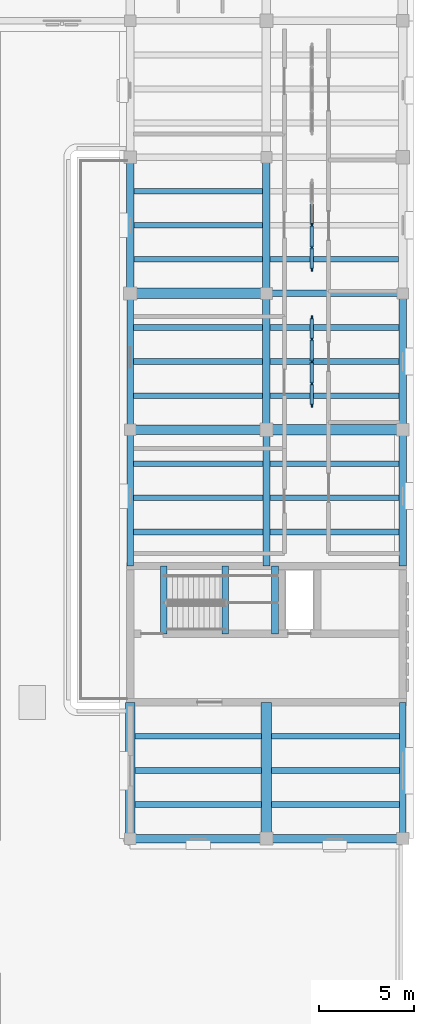
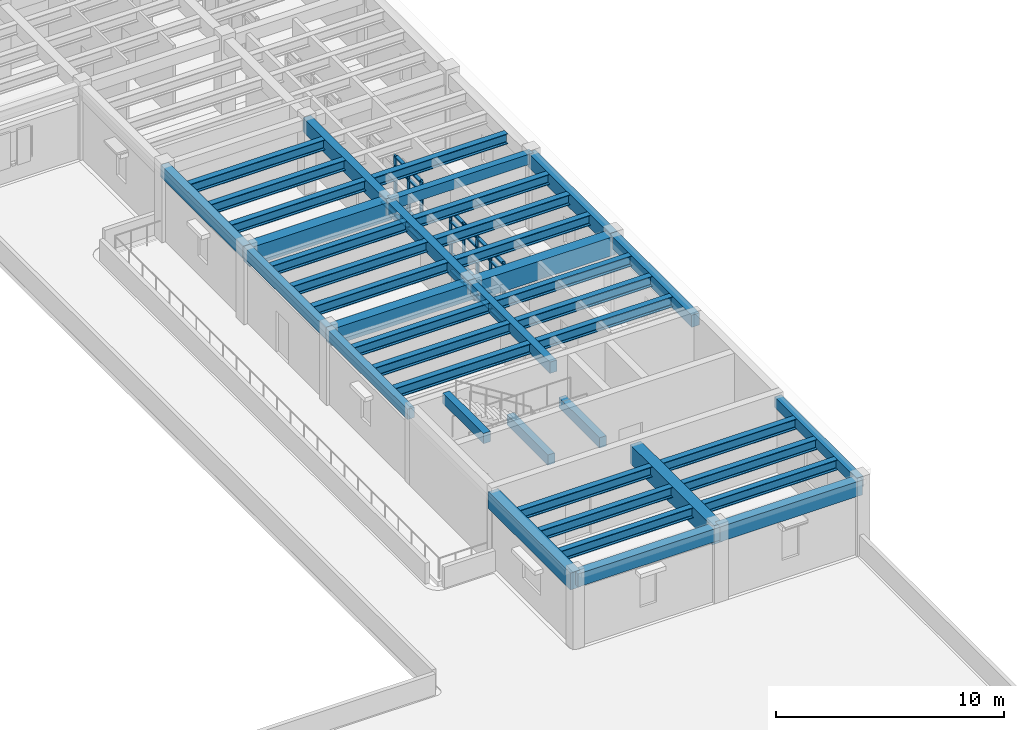
# One storey, part 7 of 40: 42 beams, 33 members, 2 elements without a shape of their own.
"""IFC4 building model written with IfcOpenShell, lengths in metres."""

from ifc_helpers import new_model, si_unit, direction, frame, origin, origin_2d, place, context, subcontext, project, spatial, rectangle, i_section, extrude, material, material_profile, profile_set, type_object, element, aggregate, save


model = new_model("IFC4")

# Units and contexts
model_context = context("Model", 3, precision=1e-05, world=origin(), true_north=direction((0.0, 1.0)))
body_context = subcontext(model_context, "Body", "Model", "MODEL_VIEW")
ifc_project = project(units=[si_unit("LENGTHUNIT", "METRE"), si_unit("AREAUNIT", "SQUARE_METRE"), si_unit("VOLUMEUNIT", "CUBIC_METRE"), si_unit("PLANEANGLEUNIT", "RADIAN"), si_unit("MASSUNIT", "GRAM", prefix="KILO")], contexts=[model_context])

# Site, building, storey
site_placement = place(None, origin())
site = spatial("IfcSite", under=ifc_project, at=site_placement, CompositionType="ELEMENT")
building_placement = place(site_placement, origin())
building = spatial("IfcBuilding", under=site, at=building_placement, Name="Mithqara Police Headquarters", CompositionType="ELEMENT")
storey_placement = place(building_placement, frame((0.0, 0.0, 13.800048828125)))
storey = spatial("IfcBuildingStorey", under=building, at=storey_placement, Name="L03", CompositionType="ELEMENT", Elevation=13.800048828125)

# Beams
ifc_material_1 = material(Name="Steel S355JR", Category="steel")
ifc_material_profile_1 = material_profile(ifc_material_1, i_section(OverallWidth=0.300048828125, OverallDepth=0.550048828125, WebThickness=0.014892578125, FlangeThickness=0.029052734375, FilletRadius=0.027099609375, at=origin_2d()), Name="HEB 550")
ifc_profile_set_1 = profile_set([ifc_material_profile_1], Name="Steel S355JR")
beam_type_1 = type_object("IfcBeamType", Name="BEAM HEB550", PredefinedType="BEAM", material=ifc_profile_set_1)
for number, where, z_axis, x_axis, name in (
    (1, (152.050048828125, 37.199951171875, 3.6650390625), (1.0, 0.0, 0.0), (0.0, 1.0, 0.0), "L03 Composite Steel Joist 22-23/F.1"),
    (2, (152.050048828125, 39.0, 3.6650390625), (1.0, 0.0, 0.0), (0.0, 1.0, 0.0), "L03 Composite Steel Joist 22-23/F.2"),
    (3, (152.050048828125, 40.800048828125, 3.6650390625), (1.0, 0.0, 0.0), (0.0, 1.0, 0.0), "L03 Composite Steel Joist 22-23/F.3"),
):
    element("IfcBeam", number, at=place(storey_placement, frame(where, z_axis=z_axis, x_axis=x_axis)), inside=storey, type_object=beam_type_1, Name=name, PredefinedType="BEAM", context=body_context, shape_type="SweptSolid", body=[
        extrude(i_section(OverallWidth=0.300048828125, OverallDepth=0.550048828125, WebThickness=0.014892578125, FlangeThickness=0.029052734375, FilletRadius=0.027099609375, at=origin_2d()), origin(), (0.0, 0.0, 1.0), 6.675048828125),
    ])
for number, where, z_axis, x_axis, name in (
    (4, (151.97509765625, 51.60009765625, 3.6650390625), (1.0, 0.0, 0.0), (0.0, 1.0, 0.0), "L03 Composite Steel Joist 22-23/H.1"),
    (5, (151.97509765625, 53.39990234375, 3.6650390625), (1.0, 0.0, 0.0), (0.0, 1.0, 0.0), "L03 Composite Steel Joist 22-23/H.2"),
    (6, (151.97509765625, 55.199951171875, 3.6650390625), (1.0, 0.0, 0.0), (0.0, 1.0, 0.0), "L03 Composite Steel Joist 22-23/H.3"),
):
    element("IfcBeam", number, at=place(storey_placement, frame(where, z_axis=z_axis, x_axis=x_axis)), inside=storey, type_object=beam_type_1, Name=name, PredefinedType="BEAM", context=body_context, shape_type="SweptSolid", body=[
        extrude(i_section(OverallWidth=0.300048828125, OverallDepth=0.550048828125, WebThickness=0.014892578125, FlangeThickness=0.029052734375, FilletRadius=0.027099609375, at=origin_2d()), origin(), (0.0, 0.0, 1.0), 6.849853515625),
    ])
for number, where, z_axis, x_axis, name in (
    (7, (151.97509765625, 58.800048828125, 3.6650390625), (1.0, 0.0, 0.0), (0.0, 1.0, 0.0), "L03 Composite Steel Joist 22-23/J.1"),
    (8, (151.97509765625, 60.60009765625, 3.6650390625), (1.0, 0.0, 0.0), (0.0, 1.0, 0.0), "L03 Composite Steel Joist 22-23/J.2"),
    (9, (151.97509765625, 62.39990234375, 3.6650390625), (1.0, 0.0, 0.0), (0.0, 1.0, 0.0), "L03 Composite Steel Joist 22-23/J.3"),
):
    element("IfcBeam", number, at=place(storey_placement, frame(where, z_axis=z_axis, x_axis=x_axis)), inside=storey, type_object=beam_type_1, Name=name, PredefinedType="BEAM", context=body_context, shape_type="SweptSolid", body=[
        extrude(i_section(OverallWidth=0.300048828125, OverallDepth=0.550048828125, WebThickness=0.014892578125, FlangeThickness=0.029052734375, FilletRadius=0.027099609375, at=origin_2d()), origin(), (0.0, 0.0, 1.0), 6.824951171875),
    ])
for number, where, z_axis, x_axis, name in (
    (10, (152.0, 66.0, 3.6650390625), (1.0, 0.0, 0.0), (0.0, 1.0, 0.0), "L03 Composite Steel Joist 22-23/K.1"),
    (11, (152.0, 67.800048828125, 3.6650390625), (1.0, 0.0, 0.0), (0.0, 1.0, 0.0), "L03 Composite Steel Joist 22-23/K.2"),
    (12, (152.0, 69.60009765625, 3.6650390625), (1.0, 0.0, 0.0), (0.0, 1.0, 0.0), "L03 Composite Steel Joist 22-23/K.3"),
):
    element("IfcBeam", number, at=place(storey_placement, frame(where, z_axis=z_axis, x_axis=x_axis)), inside=storey, type_object=beam_type_1, Name=name, PredefinedType="BEAM", context=body_context, shape_type="SweptSolid", body=[
        extrude(i_section(OverallWidth=0.300048828125, OverallDepth=0.550048828125, WebThickness=0.014892578125, FlangeThickness=0.029052734375, FilletRadius=0.027099609375, at=origin_2d()), origin(), (0.0, 0.0, 1.0), 6.800048828125),
    ])
for number, where, z_axis, x_axis, name in (
    (13, (159.27490234375, 37.199951171875, 3.6650390625), (1.0, 0.0, 0.0), (0.0, 1.0, 0.0), "L03 Composite Steel Joist 23-24/F.1"),
    (14, (159.27490234375, 39.0, 3.6650390625), (1.0, 0.0, 0.0), (0.0, 1.0, 0.0), "L03 Composite Steel Joist 23-24/F.2"),
    (15, (159.27490234375, 40.800048828125, 3.6650390625), (1.0, 0.0, 0.0), (0.0, 1.0, 0.0), "L03 Composite Steel Joist 23-24/F.3"),
):
    element("IfcBeam", number, at=place(storey_placement, frame(where, z_axis=z_axis, x_axis=x_axis)), inside=storey, type_object=beam_type_1, Name=name, PredefinedType="BEAM", context=body_context, shape_type="SweptSolid", body=[
        extrude(i_section(OverallWidth=0.300048828125, OverallDepth=0.550048828125, WebThickness=0.014892578125, FlangeThickness=0.029052734375, FilletRadius=0.027099609375, at=origin_2d()), origin(), (0.0, 0.0, 1.0), 6.75),
    ])
for number, where, z_axis, x_axis, name in (
    (16, (159.175048828125, 51.60009765625, 3.6650390625), (1.0, 0.0, 0.0), (0.0, 1.0, 0.0), "L03 Composite Steel Joist 23-24/H.1"),
    (17, (159.175048828125, 53.39990234375, 3.6650390625), (1.0, 0.0, 0.0), (0.0, 1.0, 0.0), "L03 Composite Steel Joist 23-24/H.2"),
    (18, (159.175048828125, 55.199951171875, 3.6650390625), (1.0, 0.0, 0.0), (0.0, 1.0, 0.0), "L03 Composite Steel Joist 23-24/H.3"),
):
    element("IfcBeam", number, at=place(storey_placement, frame(where, z_axis=z_axis, x_axis=x_axis)), inside=storey, type_object=beam_type_1, Name=name, PredefinedType="BEAM", context=body_context, shape_type="SweptSolid", body=[
        extrude(i_section(OverallWidth=0.300048828125, OverallDepth=0.550048828125, WebThickness=0.014892578125, FlangeThickness=0.029052734375, FilletRadius=0.027099609375, at=origin_2d()), origin(), (0.0, 0.0, 1.0), 6.824951171875),
    ])
for number, where, z_axis, x_axis, name in (
    (19, (159.199951171875, 58.800048828125, 3.6650390625), (1.0, 0.0, 0.0), (0.0, 1.0, 0.0), "L03 Composite Steel Joist 23-24/J.1"),
    (20, (159.199951171875, 60.60009765625, 3.6650390625), (1.0, 0.0, 0.0), (0.0, 1.0, 0.0), "L03 Composite Steel Joist 23-24/J.2"),
    (21, (159.199951171875, 62.39990234375, 3.6650390625), (1.0, 0.0, 0.0), (0.0, 1.0, 0.0), "L03 Composite Steel Joist 23-24/J.3"),
):
    element("IfcBeam", number, at=place(storey_placement, frame(where, z_axis=z_axis, x_axis=x_axis)), inside=storey, type_object=beam_type_1, Name=name, PredefinedType="BEAM", context=body_context, shape_type="SweptSolid", body=[
        extrude(i_section(OverallWidth=0.300048828125, OverallDepth=0.550048828125, WebThickness=0.014892578125, FlangeThickness=0.029052734375, FilletRadius=0.027099609375, at=origin_2d()), origin(), (0.0, 0.0, 1.0), 6.800048828125),
    ])
beam_1_placement = place(storey_placement, frame((159.199951171875, 66.0, 3.6650390625), z_axis=(1.0, 0.0, 0.0), x_axis=(0.0, 1.0, 0.0)))
element("IfcBeam", 22, at=beam_1_placement, inside=storey, type_object=beam_type_1, Name="L03 Composite Steel Joist 23-24/K.1", PredefinedType="BEAM", context=body_context, shape_type="SweptSolid", body=[
    extrude(i_section(OverallWidth=0.300048828125, OverallDepth=0.550048828125, WebThickness=0.014892578125, FlangeThickness=0.029052734375, FilletRadius=0.027099609375, at=origin_2d()), origin(), (0.0, 0.0, 1.0), 6.775146484375),
])
ifc_material_2 = material(Name="Concrete C40/50", Category="concrete")
ifc_material_profile_2 = material_profile(ifc_material_2, rectangle(XDim=0.35009765625, YDim=0.550048828125, at=origin_2d()), Name="RC 350x550")
ifc_profile_set_2 = profile_set([ifc_material_profile_2], Name="Concrete C40/50")
beam_type_2 = type_object("IfcBeamType", Name="BEAM RC350X550", PredefinedType="BEAM", material=ifc_profile_set_2)
for number, where, z_axis, x_axis, name in (
    (23, (151.800048828125, 49.800048828125, 3.6650390625), (0.0, 1.0, 0.0), (-1.0, 0.0, 0.0), "L03 Girder 22/H-J"),
    (24, (159.0, 64.199951171875, 3.6650390625), (1.0, 0.0, 0.0), (0.0, 1.0, 0.0), "L03 Girder 23-24/K"),
):
    element("IfcBeam", number, at=place(storey_placement, frame(where, z_axis=z_axis, x_axis=x_axis)), inside=storey, type_object=beam_type_2, Name=name, PredefinedType="BEAM", context=body_context, shape_type="SweptSolid", body=[
        extrude(rectangle(XDim=0.35009765625, YDim=0.550048828125, at=origin_2d()), origin(), (0.0, 0.0, 1.0), 7.199951171875),
    ])
beam_2_placement = place(storey_placement, frame((166.199951171875, 35.39990234375, 3.6650390625), z_axis=(0.0, 1.0, 0.0), x_axis=(-1.0, 0.0, 0.0)))
element("IfcBeam", 25, at=beam_2_placement, inside=storey, type_object=beam_type_2, Name="L03 Girder 24/F-G", PredefinedType="BEAM", context=body_context, shape_type="SweptSolid", body=[
    extrude(rectangle(XDim=0.35009765625, YDim=0.550048828125, at=origin_2d()), origin(), (0.0, 0.0, 1.0), 7.2001953125),
])
for number, where, z_axis, x_axis, name in (
    (26, (156.830078125, 46.219970703125, 1.635009765625), (0.0, 1.0, 0.0), (-1.0, 0.0, 0.0), "L03 ST-04 Half-Landing Bearer LF"),
    (27, (159.449951171875, 46.219970703125, 1.635009765625), (0.0, 1.0, 0.0), (-1.0, 0.0, 0.0), "L03 ST-04 Half-Landing Bearer LB"),
    (28, (153.576904296875, 46.219970703125, 3.925048828125), (0.0, 1.0, 0.0), (-1.0, 0.0, 0.0), "L03 ST-04 Stairwell Trimmer Beam"),
):
    element("IfcBeam", number, at=place(storey_placement, frame(where, z_axis=z_axis, x_axis=x_axis)), inside=storey, type_object=beam_type_2, Name=name, PredefinedType="BEAM", context=body_context, shape_type="SweptSolid", body=[
        extrude(rectangle(XDim=0.35009765625, YDim=0.550048828125, at=origin_2d()), origin(), (0.0, 0.0, 1.0), 3.580078125),
    ])
ifc_material_profile_3 = material_profile(ifc_material_2, rectangle(XDim=0.35009765625, YDim=0.60009765625, at=origin_2d()), Name="RC 350x600")
ifc_profile_set_3 = profile_set([ifc_material_profile_3], Name="Concrete C40/50")
beam_type_3 = type_object("IfcBeamType", Name="BEAM RC350X600", PredefinedType="BEAM", material=ifc_profile_set_3)
for number, where, z_axis, x_axis, name in (
    (29, (151.800048828125, 57.0, 3.639892578125), (0.0, 1.0, 0.0), (-1.0, 0.0, 0.0), "L03 Girder 22/J-K"),
    (30, (159.0, 49.800048828125, 3.639892578125), (0.0, 1.0, 0.0), (-1.0, 0.0, 0.0), "L03 Girder 23/H-J"),
):
    element("IfcBeam", number, at=place(storey_placement, frame(where, z_axis=z_axis, x_axis=x_axis)), inside=storey, type_object=beam_type_3, Name=name, PredefinedType="BEAM", context=body_context, shape_type="SweptSolid", body=[
        extrude(rectangle(XDim=0.35009765625, YDim=0.60009765625, at=origin_2d()), origin(), (0.0, 0.0, 1.0), 7.199951171875),
    ])
ifc_material_profile_4 = material_profile(ifc_material_2, rectangle(XDim=0.39990234375, YDim=0.64990234375, at=origin_2d()), Name="RC 400x650")
ifc_profile_set_4 = profile_set([ifc_material_profile_4], Name="Concrete C40/50")
beam_type_4 = type_object("IfcBeamType", Name="BEAM RC400X650", PredefinedType="BEAM", material=ifc_profile_set_4)
for number, where, z_axis, x_axis, name in (
    (31, (151.800048828125, 64.199951171875, 3.614990234375), (0.0, 1.0, 0.0), (-1.0, 0.0, 0.0), "L03 Girder 22/K-L"),
    (32, (159.0, 57.0, 3.614990234375), (0.0, 1.0, 0.0), (-1.0, 0.0, 0.0), "L03 Girder 23/J-K"),
    (33, (166.199951171875, 49.800048828125, 3.614990234375), (0.0, 1.0, 0.0), (-1.0, 0.0, 0.0), "L03 Girder 24/H-J"),
):
    element("IfcBeam", number, at=place(storey_placement, frame(where, z_axis=z_axis, x_axis=x_axis)), inside=storey, type_object=beam_type_4, Name=name, PredefinedType="BEAM", context=body_context, shape_type="SweptSolid", body=[
        extrude(rectangle(XDim=0.39990234375, YDim=0.64990234375, at=origin_2d()), origin(), (0.0, 0.0, 1.0), 7.199951171875),
    ])
ifc_material_profile_5 = material_profile(ifc_material_2, rectangle(XDim=0.39990234375, YDim=0.75, at=origin_2d()), Name="RC 400x750")
ifc_profile_set_5 = profile_set([ifc_material_profile_5], Name="Concrete C40/50")
beam_type_5 = type_object("IfcBeamType", Name="BEAM RC400X750", PredefinedType="BEAM", material=ifc_profile_set_5)
for number, where, z_axis, x_axis, name in (
    (34, (159.0, 64.199951171875, 3.56494140625), (0.0, 1.0, 0.0), (-1.0, 0.0, 0.0), "L03 Girder 23/K-L"),
    (35, (166.199951171875, 57.0, 3.56494140625), (0.0, 1.0, 0.0), (-1.0, 0.0, 0.0), "L03 Girder 24/J-K"),
):
    element("IfcBeam", number, at=place(storey_placement, frame(where, z_axis=z_axis, x_axis=x_axis)), inside=storey, type_object=beam_type_5, Name=name, PredefinedType="BEAM", context=body_context, shape_type="SweptSolid", body=[
        extrude(rectangle(XDim=0.39990234375, YDim=0.75, at=origin_2d()), origin(), (0.0, 0.0, 1.0), 7.199951171875),
    ])
ifc_material_profile_6 = material_profile(ifc_material_2, rectangle(XDim=0.449951171875, YDim=0.699951171875, at=origin_2d()), Name="RC 450x700")
ifc_profile_set_6 = profile_set([ifc_material_profile_6], Name="Concrete C40/50")
beam_type_6 = type_object("IfcBeamType", Name="BEAM RC450X700", PredefinedType="BEAM", material=ifc_profile_set_6)
beam_3_placement = place(storey_placement, frame((151.800048828125, 35.39990234375, 3.58984375), z_axis=(1.0, 0.0, 0.0), x_axis=(0.0, 1.0, 0.0)))
element("IfcBeam", 36, at=beam_3_placement, inside=storey, type_object=beam_type_6, Name="L03 Girder 22-23/F", PredefinedType="BEAM", context=body_context, shape_type="SweptSolid", body=[
    extrude(rectangle(XDim=0.449951171875, YDim=0.699951171875, at=origin_2d()), origin(), (0.0, 0.0, 1.0), 7.199951171875),
])
ifc_material_profile_7 = material_profile(ifc_material_2, rectangle(XDim=0.449951171875, YDim=0.800048828125, at=origin_2d()), Name="RC 450x800")
ifc_profile_set_7 = profile_set([ifc_material_profile_7], Name="Concrete C40/50")
beam_type_7 = type_object("IfcBeamType", Name="BEAM RC450X800", PredefinedType="BEAM", material=ifc_profile_set_7)
beam_4_placement = place(storey_placement, frame((159.0, 35.39990234375, 3.5400390625), z_axis=(1.0, 0.0, 0.0), x_axis=(0.0, 1.0, 0.0)))
element("IfcBeam", 37, at=beam_4_placement, inside=storey, type_object=beam_type_7, Name="L03 Girder 23-24/F", PredefinedType="BEAM", context=body_context, shape_type="SweptSolid", body=[
    extrude(rectangle(XDim=0.449951171875, YDim=0.800048828125, at=origin_2d()), origin(), (0.0, 0.0, 1.0), 7.199951171875),
])
ifc_material_3 = material(Name="Concrete C50/60", Category="concrete")
ifc_material_profile_8 = material_profile(ifc_material_3, rectangle(XDim=0.5, YDim=0.89990234375, at=origin_2d()), Name="RC 500x900")
ifc_profile_set_8 = profile_set([ifc_material_profile_8], Name="Concrete C50/60")
beam_type_8 = type_object("IfcBeamType", Name="BEAM RC500X900", PredefinedType="BEAM", material=ifc_profile_set_8)
beam_5_placement = place(storey_placement, frame((151.800048828125, 35.39990234375, 3.489990234375), z_axis=(0.0, 1.0, 0.0), x_axis=(-1.0, 0.0, 0.0)))
element("IfcBeam", 38, at=beam_5_placement, inside=storey, type_object=beam_type_8, Name="L03 Girder 22/F-G", PredefinedType="BEAM", context=body_context, shape_type="SweptSolid", body=[
    extrude(rectangle(XDim=0.5, YDim=0.89990234375, at=origin_2d()), origin(), (0.0, 0.0, 1.0), 7.2001953125),
])
beam_6_placement = place(storey_placement, frame((151.800048828125, 57.0, 3.489990234375), z_axis=(1.0, 0.0, 0.0), x_axis=(0.0, 1.0, 0.0)))
element("IfcBeam", 39, at=beam_6_placement, inside=storey, type_object=beam_type_8, Name="L03 Girder 22-23/J", PredefinedType="BEAM", context=body_context, shape_type="SweptSolid", body=[
    extrude(rectangle(XDim=0.5, YDim=0.89990234375, at=origin_2d()), origin(), (0.0, 0.0, 1.0), 7.199951171875),
])
ifc_material_profile_9 = material_profile(ifc_material_3, rectangle(XDim=0.550048828125, YDim=1.0, at=origin_2d()), Name="RC 550x1000")
ifc_profile_set_9 = profile_set([ifc_material_profile_9], Name="Concrete C50/60")
beam_type_9 = type_object("IfcBeamType", Name="BEAM RC550X1000", PredefinedType="BEAM", material=ifc_profile_set_9)
beam_7_placement = place(storey_placement, frame((151.800048828125, 64.199951171875, 3.43994140625), z_axis=(1.0, 0.0, 0.0), x_axis=(0.0, 1.0, 0.0)))
element("IfcBeam", 40, at=beam_7_placement, inside=storey, type_object=beam_type_9, Name="L03 Girder 22-23/K", PredefinedType="BEAM", context=body_context, shape_type="SweptSolid", body=[
    extrude(rectangle(XDim=0.550048828125, YDim=1.0, at=origin_2d()), origin(), (0.0, 0.0, 1.0), 7.199951171875),
])
beam_8_placement = place(storey_placement, frame((159.0, 35.39990234375, 3.43994140625), z_axis=(0.0, 1.0, 0.0), x_axis=(-1.0, 0.0, 0.0)))
element("IfcBeam", 41, at=beam_8_placement, inside=storey, type_object=beam_type_9, Name="L03 Girder 23/F-G", PredefinedType="BEAM", context=body_context, shape_type="SweptSolid", body=[
    extrude(rectangle(XDim=0.550048828125, YDim=1.0, at=origin_2d()), origin(), (0.0, 0.0, 1.0), 7.2001953125),
])
beam_9_placement = place(storey_placement, frame((159.0, 57.0, 3.43994140625), z_axis=(1.0, 0.0, 0.0), x_axis=(0.0, 1.0, 0.0)))
element("IfcBeam", 42, at=beam_9_placement, inside=storey, type_object=beam_type_9, Name="L03 Girder 23-24/J", PredefinedType="BEAM", context=body_context, shape_type="SweptSolid", body=[
    extrude(rectangle(XDim=0.550048828125, YDim=1.0, at=origin_2d()), origin(), (0.0, 0.0, 1.0), 7.199951171875),
])

# Curtain wall, members
ifc_material_4 = material(Name="Bronze anodised aluminium 6063-T6", Category="aluminium")
curtain_wall_type = type_object("IfcCurtainWallType", Name="CURTAIN WALL 4700X3220", PredefinedType="USERDEFINED", material=ifc_material_4)
curtain_wall_1_placement = place(storey_placement, origin())
curtain_wall_1 = element("IfcCurtainWall", 43, at=curtain_wall_1_placement, inside=storey, type_object=curtain_wall_type, Name="L03 Unitised Glazing CW-16 (CW-INT-L03-X22-Y08-0)", ObjectType="UNITISED GLAZING", PredefinedType="USERDEFINED")
ifc_material_profile_10 = material_profile(ifc_material_4, rectangle(XDim=0.074951171875, YDim=0.219970703125, at=origin_2d()), Name="CWM 75x220")
ifc_profile_set_10 = profile_set([ifc_material_profile_10], Name="Bronze anodised aluminium 6063-T6")
member_type_1 = type_object("IfcMemberType", Name="CWMULLION 75X220", PredefinedType="MULLION", material=ifc_profile_set_10)
member_1_placement = place(storey_placement, frame((161.39990234375, 58.28759765625, 0.0), z_axis=(0.0, 0.0, 1.0), x_axis=(-1.0, 0.0, 0.0)))
member_1 = element("IfcMember", 44, at=member_1_placement, type_object=member_type_1, Name="CW-16 mullion 1", PredefinedType="MULLION", context=body_context, shape_type="SweptSolid", body=[
    extrude(rectangle(XDim=0.074951171875, YDim=0.219970703125, at=origin_2d()), origin(), (0.0, 0.0, 1.0), 3.219970703125),
])
member_2_placement = place(storey_placement, frame((161.39990234375, 59.425048828125, 0.0), z_axis=(0.0, 0.0, 1.0), x_axis=(-1.0, 0.0, 0.0)))
member_2 = element("IfcMember", 45, at=member_2_placement, type_object=member_type_1, Name="CW-16 mullion 2", PredefinedType="MULLION", context=body_context, shape_type="SweptSolid", body=[
    extrude(rectangle(XDim=0.074951171875, YDim=0.219970703125, at=origin_2d()), origin(), (0.0, 0.0, 1.0), 3.219970703125),
])
member_3_placement = place(storey_placement, frame((161.39990234375, 60.60009765625, 0.0), z_axis=(0.0, 0.0, 1.0), x_axis=(-1.0, 0.0, 0.0)))
member_3 = element("IfcMember", 46, at=member_3_placement, type_object=member_type_1, Name="CW-16 mullion 3", PredefinedType="MULLION", context=body_context, shape_type="SweptSolid", body=[
    extrude(rectangle(XDim=0.074951171875, YDim=0.219970703125, at=origin_2d()), origin(), (0.0, 0.0, 1.0), 3.219970703125),
])
member_4_placement = place(storey_placement, frame((161.39990234375, 61.77490234375, 0.0), z_axis=(0.0, 0.0, 1.0), x_axis=(-1.0, 0.0, 0.0)))
member_4 = element("IfcMember", 47, at=member_4_placement, type_object=member_type_1, Name="CW-16 mullion 4", PredefinedType="MULLION", context=body_context, shape_type="SweptSolid", body=[
    extrude(rectangle(XDim=0.074951171875, YDim=0.219970703125, at=origin_2d()), origin(), (0.0, 0.0, 1.0), 3.219970703125),
])
member_5_placement = place(storey_placement, frame((161.39990234375, 62.91259765625, 0.0), z_axis=(0.0, 0.0, 1.0), x_axis=(-1.0, 0.0, 0.0)))
member_5 = element("IfcMember", 48, at=member_5_placement, type_object=member_type_1, Name="CW-16 mullion 5", PredefinedType="MULLION", context=body_context, shape_type="SweptSolid", body=[
    extrude(rectangle(XDim=0.074951171875, YDim=0.219970703125, at=origin_2d()), origin(), (0.0, 0.0, 1.0), 3.219970703125),
])

curtain_wall_2_placement = place(storey_placement, origin())
curtain_wall_2 = element("IfcCurtainWall", 49, at=curtain_wall_2_placement, inside=storey, type_object=curtain_wall_type, Name="L03 Unitised Glazing CW-16 (CW-INT-L03-X22-Y09-0)", ObjectType="UNITISED GLAZING", PredefinedType="USERDEFINED")
member_6_placement = place(storey_placement, frame((161.39990234375, 65.487548828125, 0.0), z_axis=(0.0, 0.0, 1.0), x_axis=(-1.0, 0.0, 0.0)))
member_6 = element("IfcMember", 50, at=member_6_placement, type_object=member_type_1, Name="CW-16 mullion 1", PredefinedType="MULLION", context=body_context, shape_type="SweptSolid", body=[
    extrude(rectangle(XDim=0.074951171875, YDim=0.219970703125, at=origin_2d()), origin(), (0.0, 0.0, 1.0), 3.219970703125),
])
member_7_placement = place(storey_placement, frame((161.39990234375, 66.625, 0.0), z_axis=(0.0, 0.0, 1.0), x_axis=(-1.0, 0.0, 0.0)))
member_7 = element("IfcMember", 51, at=member_7_placement, type_object=member_type_1, Name="CW-16 mullion 2", PredefinedType="MULLION", context=body_context, shape_type="SweptSolid", body=[
    extrude(rectangle(XDim=0.074951171875, YDim=0.219970703125, at=origin_2d()), origin(), (0.0, 0.0, 1.0), 3.219970703125),
])
member_8_placement = place(storey_placement, frame((161.39990234375, 67.800048828125, 0.0), z_axis=(0.0, 0.0, 1.0), x_axis=(-1.0, 0.0, 0.0)))
member_8 = element("IfcMember", 52, at=member_8_placement, type_object=member_type_1, Name="CW-16 mullion 3", PredefinedType="MULLION", context=body_context, shape_type="SweptSolid", body=[
    extrude(rectangle(XDim=0.074951171875, YDim=0.219970703125, at=origin_2d()), origin(), (0.0, 0.0, 1.0), 3.219970703125),
])

# Member
ifc_material_profile_11 = material_profile(ifc_material_4, rectangle(XDim=0.179931640625, YDim=0.074951171875, at=origin_2d()), Name="CWT 180x75")
ifc_profile_set_11 = profile_set([ifc_material_profile_11], Name="Bronze anodised aluminium 6063-T6")
member_type_2 = type_object("IfcMemberType", Name="CWTRANSOM 180X75", PredefinedType="USERDEFINED", material=ifc_profile_set_11)
member_9_placement = place(storey_placement, frame((161.39990234375, 58.324951171875, 0.037353515625), z_axis=(0.0, 1.0, 0.0), x_axis=(-1.0, 0.0, 0.0)))
member_9 = element("IfcMember", 53, at=member_9_placement, type_object=member_type_2, Name="CW-16 transom 1.1", ObjectType="TRANSOM", PredefinedType="USERDEFINED", context=body_context, shape_type="SweptSolid", body=[
    extrude(rectangle(XDim=0.179931640625, YDim=0.074951171875, at=origin_2d()), origin(), (0.0, 0.0, 1.0), 1.0625),
])

member_10_placement = place(storey_placement, frame((161.39990234375, 58.324951171875, 0.89990234375), z_axis=(0.0, 1.0, 0.0), x_axis=(-1.0, 0.0, 0.0)))
member_10 = element("IfcMember", 54, at=member_10_placement, type_object=member_type_2, Name="CW-16 transom 1.2", ObjectType="TRANSOM", PredefinedType="USERDEFINED", context=body_context, shape_type="SweptSolid", body=[
    extrude(rectangle(XDim=0.179931640625, YDim=0.074951171875, at=origin_2d()), origin(), (0.0, 0.0, 1.0), 1.0625),
])

member_11_placement = place(storey_placement, frame((161.39990234375, 58.324951171875, 2.669921875), z_axis=(0.0, 1.0, 0.0), x_axis=(-1.0, 0.0, 0.0)))
member_11 = element("IfcMember", 55, at=member_11_placement, type_object=member_type_2, Name="CW-16 transom 1.3", ObjectType="TRANSOM", PredefinedType="USERDEFINED", context=body_context, shape_type="SweptSolid", body=[
    extrude(rectangle(XDim=0.179931640625, YDim=0.074951171875, at=origin_2d()), origin(), (0.0, 0.0, 1.0), 1.0625),
])

member_12_placement = place(storey_placement, frame((161.39990234375, 58.324951171875, 3.182373046875), z_axis=(0.0, 1.0, 0.0), x_axis=(-1.0, 0.0, 0.0)))
member_12 = element("IfcMember", 56, at=member_12_placement, type_object=member_type_2, Name="CW-16 transom 1.4", ObjectType="TRANSOM", PredefinedType="USERDEFINED", context=body_context, shape_type="SweptSolid", body=[
    extrude(rectangle(XDim=0.179931640625, YDim=0.074951171875, at=origin_2d()), origin(), (0.0, 0.0, 1.0), 1.0625),
])

member_13_placement = place(storey_placement, frame((161.39990234375, 59.46240234375, 0.037353515625), z_axis=(0.0, 1.0, 0.0), x_axis=(-1.0, 0.0, 0.0)))
member_13 = element("IfcMember", 57, at=member_13_placement, type_object=member_type_2, Name="CW-16 transom 2.1", ObjectType="TRANSOM", PredefinedType="USERDEFINED", context=body_context, shape_type="SweptSolid", body=[
    extrude(rectangle(XDim=0.179931640625, YDim=0.074951171875, at=origin_2d()), origin(), (0.0, 0.0, 1.0), 1.10009765625),
])

member_14_placement = place(storey_placement, frame((161.39990234375, 59.46240234375, 0.89990234375), z_axis=(0.0, 1.0, 0.0), x_axis=(-1.0, 0.0, 0.0)))
member_14 = element("IfcMember", 58, at=member_14_placement, type_object=member_type_2, Name="CW-16 transom 2.2", ObjectType="TRANSOM", PredefinedType="USERDEFINED", context=body_context, shape_type="SweptSolid", body=[
    extrude(rectangle(XDim=0.179931640625, YDim=0.074951171875, at=origin_2d()), origin(), (0.0, 0.0, 1.0), 1.10009765625),
])

member_15_placement = place(storey_placement, frame((161.39990234375, 59.46240234375, 2.669921875), z_axis=(0.0, 1.0, 0.0), x_axis=(-1.0, 0.0, 0.0)))
member_15 = element("IfcMember", 59, at=member_15_placement, type_object=member_type_2, Name="CW-16 transom 2.3", ObjectType="TRANSOM", PredefinedType="USERDEFINED", context=body_context, shape_type="SweptSolid", body=[
    extrude(rectangle(XDim=0.179931640625, YDim=0.074951171875, at=origin_2d()), origin(), (0.0, 0.0, 1.0), 1.10009765625),
])

member_16_placement = place(storey_placement, frame((161.39990234375, 59.46240234375, 3.182373046875), z_axis=(0.0, 1.0, 0.0), x_axis=(-1.0, 0.0, 0.0)))
member_16 = element("IfcMember", 60, at=member_16_placement, type_object=member_type_2, Name="CW-16 transom 2.4", ObjectType="TRANSOM", PredefinedType="USERDEFINED", context=body_context, shape_type="SweptSolid", body=[
    extrude(rectangle(XDim=0.179931640625, YDim=0.074951171875, at=origin_2d()), origin(), (0.0, 0.0, 1.0), 1.10009765625),
])

member_17_placement = place(storey_placement, frame((161.39990234375, 60.637451171875, 0.037353515625), z_axis=(0.0, 1.0, 0.0), x_axis=(-1.0, 0.0, 0.0)))
member_17 = element("IfcMember", 61, at=member_17_placement, type_object=member_type_2, Name="CW-16 transom 3.1", ObjectType="TRANSOM", PredefinedType="USERDEFINED", context=body_context, shape_type="SweptSolid", body=[
    extrude(rectangle(XDim=0.179931640625, YDim=0.074951171875, at=origin_2d()), origin(), (0.0, 0.0, 1.0), 1.10009765625),
])

member_18_placement = place(storey_placement, frame((161.39990234375, 60.637451171875, 0.89990234375), z_axis=(0.0, 1.0, 0.0), x_axis=(-1.0, 0.0, 0.0)))
member_18 = element("IfcMember", 62, at=member_18_placement, type_object=member_type_2, Name="CW-16 transom 3.2", ObjectType="TRANSOM", PredefinedType="USERDEFINED", context=body_context, shape_type="SweptSolid", body=[
    extrude(rectangle(XDim=0.179931640625, YDim=0.074951171875, at=origin_2d()), origin(), (0.0, 0.0, 1.0), 1.10009765625),
])

member_19_placement = place(storey_placement, frame((161.39990234375, 60.637451171875, 2.669921875), z_axis=(0.0, 1.0, 0.0), x_axis=(-1.0, 0.0, 0.0)))
member_19 = element("IfcMember", 63, at=member_19_placement, type_object=member_type_2, Name="CW-16 transom 3.3", ObjectType="TRANSOM", PredefinedType="USERDEFINED", context=body_context, shape_type="SweptSolid", body=[
    extrude(rectangle(XDim=0.179931640625, YDim=0.074951171875, at=origin_2d()), origin(), (0.0, 0.0, 1.0), 1.10009765625),
])

member_20_placement = place(storey_placement, frame((161.39990234375, 60.637451171875, 3.182373046875), z_axis=(0.0, 1.0, 0.0), x_axis=(-1.0, 0.0, 0.0)))
member_20 = element("IfcMember", 64, at=member_20_placement, type_object=member_type_2, Name="CW-16 transom 3.4", ObjectType="TRANSOM", PredefinedType="USERDEFINED", context=body_context, shape_type="SweptSolid", body=[
    extrude(rectangle(XDim=0.179931640625, YDim=0.074951171875, at=origin_2d()), origin(), (0.0, 0.0, 1.0), 1.10009765625),
])

member_21_placement = place(storey_placement, frame((161.39990234375, 61.8125, 0.037353515625), z_axis=(0.0, 1.0, 0.0), x_axis=(-1.0, 0.0, 0.0)))
member_21 = element("IfcMember", 65, at=member_21_placement, type_object=member_type_2, Name="CW-16 transom 4.1", ObjectType="TRANSOM", PredefinedType="USERDEFINED", context=body_context, shape_type="SweptSolid", body=[
    extrude(rectangle(XDim=0.179931640625, YDim=0.074951171875, at=origin_2d()), origin(), (0.0, 0.0, 1.0), 1.0625),
])

member_22_placement = place(storey_placement, frame((161.39990234375, 61.8125, 0.89990234375), z_axis=(0.0, 1.0, 0.0), x_axis=(-1.0, 0.0, 0.0)))
member_22 = element("IfcMember", 66, at=member_22_placement, type_object=member_type_2, Name="CW-16 transom 4.2", ObjectType="TRANSOM", PredefinedType="USERDEFINED", context=body_context, shape_type="SweptSolid", body=[
    extrude(rectangle(XDim=0.179931640625, YDim=0.074951171875, at=origin_2d()), origin(), (0.0, 0.0, 1.0), 1.0625),
])

member_23_placement = place(storey_placement, frame((161.39990234375, 61.8125, 2.669921875), z_axis=(0.0, 1.0, 0.0), x_axis=(-1.0, 0.0, 0.0)))
member_23 = element("IfcMember", 67, at=member_23_placement, type_object=member_type_2, Name="CW-16 transom 4.3", ObjectType="TRANSOM", PredefinedType="USERDEFINED", context=body_context, shape_type="SweptSolid", body=[
    extrude(rectangle(XDim=0.179931640625, YDim=0.074951171875, at=origin_2d()), origin(), (0.0, 0.0, 1.0), 1.0625),
])

member_24_placement = place(storey_placement, frame((161.39990234375, 61.8125, 3.182373046875), z_axis=(0.0, 1.0, 0.0), x_axis=(-1.0, 0.0, 0.0)))
member_24 = element("IfcMember", 68, at=member_24_placement, type_object=member_type_2, Name="CW-16 transom 4.4", ObjectType="TRANSOM", PredefinedType="USERDEFINED", context=body_context, shape_type="SweptSolid", body=[
    extrude(rectangle(XDim=0.179931640625, YDim=0.074951171875, at=origin_2d()), origin(), (0.0, 0.0, 1.0), 1.0625),
])

aggregate(curtain_wall_1, [member_1, member_2, member_3, member_4, member_5, member_9, member_10, member_11, member_12, member_13, member_14, member_15, member_16, member_17, member_18, member_19, member_20, member_21, member_22, member_23, member_24])

member_25_placement = place(storey_placement, frame((161.39990234375, 65.52490234375, 0.037353515625), z_axis=(0.0, 1.0, 0.0), x_axis=(-1.0, 0.0, 0.0)))
member_25 = element("IfcMember", 69, at=member_25_placement, type_object=member_type_2, Name="CW-16 transom 1.1", ObjectType="TRANSOM", PredefinedType="USERDEFINED", context=body_context, shape_type="SweptSolid", body=[
    extrude(rectangle(XDim=0.179931640625, YDim=0.074951171875, at=origin_2d()), origin(), (0.0, 0.0, 1.0), 1.0625),
])

member_26_placement = place(storey_placement, frame((161.39990234375, 65.52490234375, 0.89990234375), z_axis=(0.0, 1.0, 0.0), x_axis=(-1.0, 0.0, 0.0)))
member_26 = element("IfcMember", 70, at=member_26_placement, type_object=member_type_2, Name="CW-16 transom 1.2", ObjectType="TRANSOM", PredefinedType="USERDEFINED", context=body_context, shape_type="SweptSolid", body=[
    extrude(rectangle(XDim=0.179931640625, YDim=0.074951171875, at=origin_2d()), origin(), (0.0, 0.0, 1.0), 1.0625),
])

member_27_placement = place(storey_placement, frame((161.39990234375, 65.52490234375, 2.669921875), z_axis=(0.0, 1.0, 0.0), x_axis=(-1.0, 0.0, 0.0)))
member_27 = element("IfcMember", 71, at=member_27_placement, type_object=member_type_2, Name="CW-16 transom 1.3", ObjectType="TRANSOM", PredefinedType="USERDEFINED", context=body_context, shape_type="SweptSolid", body=[
    extrude(rectangle(XDim=0.179931640625, YDim=0.074951171875, at=origin_2d()), origin(), (0.0, 0.0, 1.0), 1.0625),
])

member_28_placement = place(storey_placement, frame((161.39990234375, 65.52490234375, 3.182373046875), z_axis=(0.0, 1.0, 0.0), x_axis=(-1.0, 0.0, 0.0)))
member_28 = element("IfcMember", 72, at=member_28_placement, type_object=member_type_2, Name="CW-16 transom 1.4", ObjectType="TRANSOM", PredefinedType="USERDEFINED", context=body_context, shape_type="SweptSolid", body=[
    extrude(rectangle(XDim=0.179931640625, YDim=0.074951171875, at=origin_2d()), origin(), (0.0, 0.0, 1.0), 1.0625),
])

member_29_placement = place(storey_placement, frame((161.39990234375, 66.66259765625, 0.037353515625), z_axis=(0.0, 1.0, 0.0), x_axis=(-1.0, 0.0, 0.0)))
member_29 = element("IfcMember", 73, at=member_29_placement, type_object=member_type_2, Name="CW-16 transom 2.1", ObjectType="TRANSOM", PredefinedType="USERDEFINED", context=body_context, shape_type="SweptSolid", body=[
    extrude(rectangle(XDim=0.179931640625, YDim=0.074951171875, at=origin_2d()), origin(), (0.0, 0.0, 1.0), 1.099853515625),
])

member_30_placement = place(storey_placement, frame((161.39990234375, 66.66259765625, 0.89990234375), z_axis=(0.0, 1.0, 0.0), x_axis=(-1.0, 0.0, 0.0)))
member_30 = element("IfcMember", 74, at=member_30_placement, type_object=member_type_2, Name="CW-16 transom 2.2", ObjectType="TRANSOM", PredefinedType="USERDEFINED", context=body_context, shape_type="SweptSolid", body=[
    extrude(rectangle(XDim=0.179931640625, YDim=0.074951171875, at=origin_2d()), origin(), (0.0, 0.0, 1.0), 1.099853515625),
])

member_31_placement = place(storey_placement, frame((161.39990234375, 66.66259765625, 2.669921875), z_axis=(0.0, 1.0, 0.0), x_axis=(-1.0, 0.0, 0.0)))
member_31 = element("IfcMember", 75, at=member_31_placement, type_object=member_type_2, Name="CW-16 transom 2.3", ObjectType="TRANSOM", PredefinedType="USERDEFINED", context=body_context, shape_type="SweptSolid", body=[
    extrude(rectangle(XDim=0.179931640625, YDim=0.074951171875, at=origin_2d()), origin(), (0.0, 0.0, 1.0), 1.099853515625),
])

member_32_placement = place(storey_placement, frame((161.39990234375, 66.66259765625, 3.182373046875), z_axis=(0.0, 1.0, 0.0), x_axis=(-1.0, 0.0, 0.0)))
member_32 = element("IfcMember", 76, at=member_32_placement, type_object=member_type_2, Name="CW-16 transom 2.4", ObjectType="TRANSOM", PredefinedType="USERDEFINED", context=body_context, shape_type="SweptSolid", body=[
    extrude(rectangle(XDim=0.179931640625, YDim=0.074951171875, at=origin_2d()), origin(), (0.0, 0.0, 1.0), 1.099853515625),
])

member_33_placement = place(storey_placement, frame((161.39990234375, 67.83740234375, 0.037353515625), z_axis=(0.0, 1.0, 0.0), x_axis=(-1.0, 0.0, 0.0)))
member_33 = element("IfcMember", 77, at=member_33_placement, type_object=member_type_2, Name="CW-16 transom 3.1", ObjectType="TRANSOM", PredefinedType="USERDEFINED", context=body_context, shape_type="SweptSolid", body=[
    extrude(rectangle(XDim=0.179931640625, YDim=0.074951171875, at=origin_2d()), origin(), (0.0, 0.0, 1.0), 1.10009765625),
])

aggregate(curtain_wall_2, [member_6, member_7, member_8, member_25, member_26, member_27, member_28, member_29, member_30, member_31, member_32, member_33])

save(model, "model.ifc")
